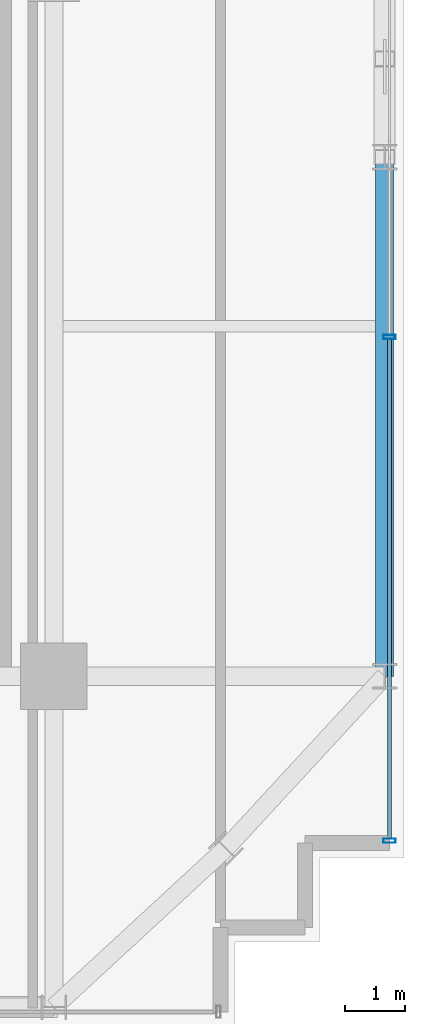
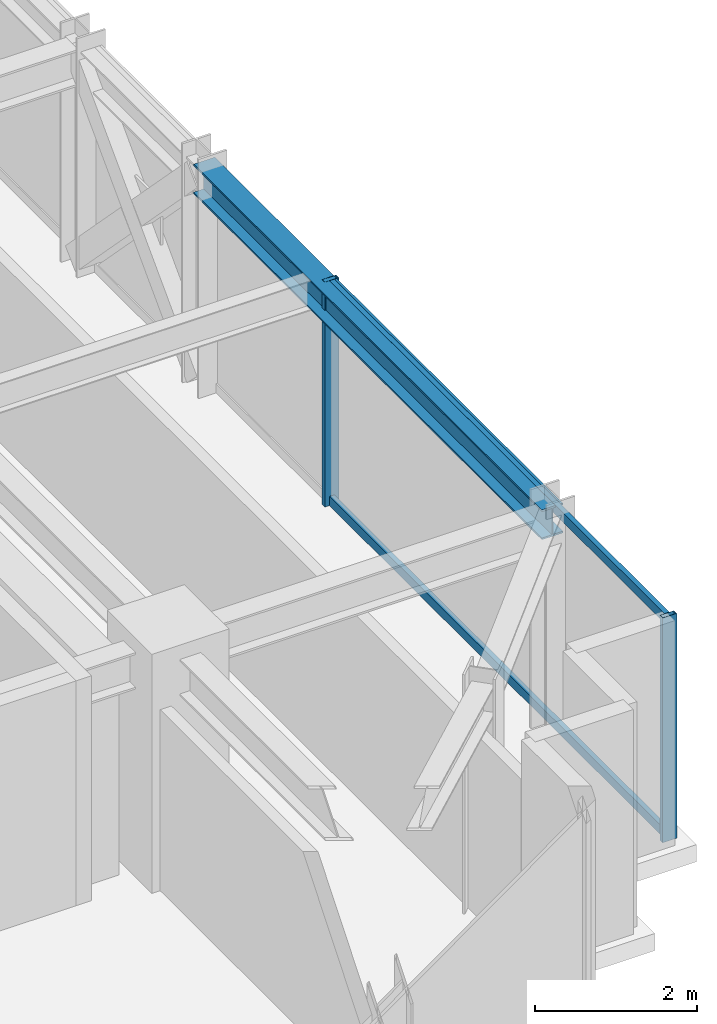
# One storey, part 14 of 35: 4 members, 1 beam, 1 element without a shape of its own.
"""IFC4 building model written with IfcOpenShell, lengths in metres."""

import ifcopenshell
import ifcopenshell.guid

model = None  # the IFC model being written
_history = None  # IfcOwnerHistory: only IFC2X3 demands one
_inside = {}  # id of a spatial element -> (the spatial element, [elements in it])
_under = {}  # id of a project, library or spatial element -> (it, [spatial elements below it])
_declared = {}  # id of a project -> (the project, [libraries it declares])
_typed = {}  # id of a type object -> (the type object, [elements of that type])
_made_of = {}  # id of a material, layer set ... -> (it, [elements and type objects made of it])


def new_model(schema):
    """Start an empty IFC model of exactly this schema.

    Asked for "IFC4X3", IfcOpenShell would pick the latest addendum, in which some entities
    have other attributes; the version numbers below select the first issue.
    IFC2X3 requires an IfcOwnerHistory on every rooted entity: one is made here for all.
    """
    global model, _history
    if schema == "IFC4X3":
        model = ifcopenshell.file(schema_version=(4, 3, 0, 0))
    else:
        model = ifcopenshell.file(schema=schema)
    _inside.clear()
    _under.clear()
    _declared.clear()
    _typed.clear()
    _made_of.clear()
    _history = None
    if model.schema == "IFC2X3":
        org = make("IfcOrganization", Name="unknown")
        user = make(
            "IfcPersonAndOrganization",
            ThePerson=make("IfcPerson", FamilyName="unknown"),
            TheOrganization=org,
        )
        app = make(
            "IfcApplication",
            ApplicationDeveloper=org,
            Version="unknown",
            ApplicationFullName="unknown",
            ApplicationIdentifier="unknown",
        )
        _history = make(
            "IfcOwnerHistory",
            OwningUser=user,
            OwningApplication=app,
            ChangeAction="ADDED",
            CreationDate=0,
        )
    return model


def make(cls, **values):
    """One entity of the class cls with the attributes given. An attribute that is None is left unset."""
    return model.create_entity(
        cls, **{name: value for name, value in values.items() if value is not None}
    )


def rooted(cls, **values):
    """An entity with a GlobalId (a new one), such as an element, a storey or a relation."""
    return make(cls, GlobalId=ifcopenshell.guid.new(), OwnerHistory=_history, **values)


def si_unit(unit_type, name, prefix=None):
    """IfcSIUnit, for example si_unit("LENGTHUNIT", "METRE", prefix="MILLI")."""
    return make("IfcSIUnit", UnitType=unit_type, Prefix=prefix, Name=name)


def assignment(units):
    """IfcUnitAssignment: the units of a project."""
    return None if units is None else make("IfcUnitAssignment", Units=units)


def point(xyz):
    """IfcCartesianPoint."""
    return None if xyz is None else make("IfcCartesianPoint", Coordinates=xyz)


def direction(xyz):
    """IfcDirection."""
    return None if xyz is None else make("IfcDirection", DirectionRatios=xyz)


def frame(location, z_axis=None, x_axis=None):
    """IfcAxis2Placement3D, a coordinate frame: its origin and axes. An axis left out is left unset."""
    return make(
        "IfcAxis2Placement3D",
        Location=point(location),
        Axis=direction(z_axis),
        RefDirection=direction(x_axis),
    )


def frame_2d(location, x_axis=None):
    """IfcAxis2Placement2D, a coordinate frame in the plane: its origin and x axis."""
    return make(
        "IfcAxis2Placement2D", Location=point(location), RefDirection=direction(x_axis)
    )


def origin():
    """The frame at (0, 0, 0) with its axes left unset."""
    return frame((0.0, 0.0, 0.0))


def origin_2d():
    """The frame at (0, 0) in the plane with its x axis left unset."""
    return frame_2d((0.0, 0.0))


def place(relative_to, where):
    """IfcLocalPlacement: puts the frame where relative to a parent placement (None: the world)."""
    return make(
        "IfcLocalPlacement", PlacementRelTo=relative_to, RelativePlacement=where
    )


def context(
    kind, dimensions, precision=None, world=None, true_north=None, identifier=None
):
    """IfcGeometricRepresentationContext, for example the 3D "Model" context."""
    return make(
        "IfcGeometricRepresentationContext",
        ContextIdentifier=identifier,
        ContextType=kind,
        CoordinateSpaceDimension=dimensions,
        Precision=precision,
        WorldCoordinateSystem=world,
        TrueNorth=true_north,
    )


def subcontext(parent, identifier, kind, view, scale=None):
    """IfcGeometricRepresentationSubContext, for example "Body" below "Model"."""
    return make(
        "IfcGeometricRepresentationSubContext",
        ContextIdentifier=identifier,
        ContextType=kind,
        ParentContext=parent,
        TargetScale=scale,
        TargetView=view,
    )


def project(units=None, contexts=None):
    """IfcProject with its units and contexts."""
    return rooted(
        "IfcProject",
        Name="project",
        RepresentationContexts=contexts,
        UnitsInContext=assignment(units),
    )


def spatial(cls, under=None, at=None, **own):
    """A site, building, storey or space (cls), placed at a placement, below another one or the project."""
    s = rooted(cls, ObjectPlacement=at, **own)
    if under is not None:
        _under.setdefault(under.id(), (under, []))[1].append(s)
    return s


def profile(cls, at=None, kind="AREA", **sizes):
    """A parametric profile (cls). Its sizes go by their IFC names, for example OverallWidth=200.0."""
    return make(cls, ProfileType=kind, Position=at, **sizes)


def hollow_rectangle(**sizes):
    """IfcRectangleHollowProfileDef."""
    return profile("IfcRectangleHollowProfileDef", **sizes)


def i_section(**sizes):
    """IfcIShapeProfileDef."""
    return profile("IfcIShapeProfileDef", **sizes)


def extrude(swept, where, along, depth):
    """IfcExtrudedAreaSolid: the profile swept, set in the frame where, extruded along a direction by depth."""
    return make(
        "IfcExtrudedAreaSolid",
        SweptArea=swept,
        Position=where,
        ExtrudedDirection=direction(along),
        Depth=depth,
    )


def shape(context_of_items, identifier, shape_type, items):
    """IfcShapeRepresentation: the items that make up one representation, for example the "Body"."""
    return make(
        "IfcShapeRepresentation",
        ContextOfItems=context_of_items,
        RepresentationIdentifier=identifier,
        RepresentationType=shape_type,
        Items=items,
    )


def source(mapping_origin, context_of_items, identifier, shape_type, items):
    """IfcRepresentationMap: a shape defined once, which mapped items show again and again."""
    return make(
        "IfcRepresentationMap",
        MappingOrigin=mapping_origin,
        MappedRepresentation=shape(context_of_items, identifier, shape_type, items),
    )


def transform(
    local_origin,
    x_axis=None,
    y_axis=None,
    z_axis=None,
    scale=None,
    scale2=None,
    scale3=None,
    uniform=True,
):
    """IfcCartesianTransformationOperator3D, or its non-uniform kind. x_axis, y_axis, z_axis: its Axis1, 2, 3."""
    if uniform:
        return make(
            "IfcCartesianTransformationOperator3D",
            Axis1=direction(x_axis),
            Axis2=direction(y_axis),
            LocalOrigin=point(local_origin),
            Scale=scale,
            Axis3=direction(z_axis),
        )
    return make(
        "IfcCartesianTransformationOperator3DnonUniform",
        Axis1=direction(x_axis),
        Axis2=direction(y_axis),
        LocalOrigin=point(local_origin),
        Scale=scale,
        Axis3=direction(z_axis),
        Scale2=scale2,
        Scale3=scale3,
    )


def mapped(mapping_source, mapping_target):
    """IfcMappedItem: shows the shape of a source again, moved by a transform."""
    return make(
        "IfcMappedItem", MappingSource=mapping_source, MappingTarget=mapping_target
    )


def material(Name=None, Category=None):
    """IfcMaterial."""
    return make("IfcMaterial", Name=Name, Category=Category)


def material_profile(
    of_material, cross_section, Name=None, Category=None, Priority=None
):
    """IfcMaterialProfile: a cross section and its material."""
    return make(
        "IfcMaterialProfile",
        Name=Name,
        Material=of_material,
        Profile=cross_section,
        Priority=Priority,
        Category=Category,
    )


def profile_set(profiles, Name=None, composite=None):
    """IfcMaterialProfileSet."""
    return make(
        "IfcMaterialProfileSet",
        Name=Name,
        MaterialProfiles=profiles,
        CompositeProfile=composite,
    )


def made_of(thing, what):
    """Note that an element or type object is made of a material, layer set ...; save() writes the relation."""
    if what is not None:
        _made_of.setdefault(what.id(), (what, []))[1].append(thing)
    return thing


def type_object(cls, material=None, **own):
    """A type object (cls), such as IfcWallType, which elements share."""
    return made_of(rooted(cls, **own), material)


def element(
    cls,
    number,
    at=None,
    inside=None,
    cuts=None,
    type_object=None,
    material=None,
    context=None,
    identifier="Body",
    shape_type=None,
    held_by="IfcProductDefinitionShape",
    body=None,
    shapes=None,
    **own,
):
    """One element of the class cls, such as IfcWall. Its Tag is "e" and its number.

    at: its placement. inside: the storey or other place that contains it. cuts: it is an
    opening in that element (IfcRelVoidsElement). A single representation is given by context,
    identifier, shape_type and body (its items); several are given by shapes. held_by: the class
    of the entity that holds the representations. save() writes the other relations.
    """
    e = rooted(cls, Tag="e%d" % number, ObjectPlacement=at, **own)
    if body is not None:
        shapes = [shape(context, identifier, shape_type, body)]
    if shapes is not None:
        e.Representation = make(held_by, Representations=shapes)
    if inside is not None:
        _inside.setdefault(inside.id(), (inside, []))[1].append(e)
    if cuts is not None:
        rooted(
            "IfcRelVoidsElement", RelatingBuildingElement=cuts, RelatedOpeningElement=e
        )
    if type_object is not None:
        _typed.setdefault(type_object.id(), (type_object, []))[1].append(e)
    return made_of(e, material)


def aggregate(whole, parts):
    """IfcRelAggregates: a whole, such as a stair, and the parts it consists of."""
    return rooted("IfcRelAggregates", RelatingObject=whole, RelatedObjects=parts)


def save(model, path):
    """Write the relations noted so far, then the file.

    IfcRelAggregates (storeys below a building ...), IfcRelContainedInSpatialStructure (elements
    in a storey), IfcRelDefinesByType, IfcRelAssociatesMaterial and IfcRelDeclares: one each for
    every whole, place, type object, material and project.
    """
    for whole, parts in _under.values():
        aggregate(whole, parts)
    for where, things in _inside.values():
        rooted(
            "IfcRelContainedInSpatialStructure",
            RelatedElements=things,
            RelatingStructure=where,
        )
    for kind, things in _typed.values():
        rooted("IfcRelDefinesByType", RelatedObjects=things, RelatingType=kind)
    for what, things in _made_of.values():
        rooted("IfcRelAssociatesMaterial", RelatedObjects=things, RelatingMaterial=what)
    for by, libraries in _declared.values():
        rooted("IfcRelDeclares", RelatingContext=by, RelatedDefinitions=libraries)
    model.write(path)


model = new_model("IFC4")

# Units and contexts
model_context = context("Model", 3, precision=1e-05, world=origin(), true_north=direction((0.0, 1.0)))
body_context = subcontext(model_context, "Body", "Model", "MODEL_VIEW")
ifc_project = project(units=[si_unit("LENGTHUNIT", "METRE"), si_unit("AREAUNIT", "SQUARE_METRE"), si_unit("VOLUMEUNIT", "CUBIC_METRE"), si_unit("PLANEANGLEUNIT", "RADIAN"), si_unit("MASSUNIT", "GRAM", prefix="KILO")], contexts=[model_context])

# Site, building, storey
site_placement = place(None, origin())
site = spatial("IfcSite", under=ifc_project, at=site_placement, CompositionType="ELEMENT")
building_placement = place(site_placement, origin())
building = spatial("IfcBuilding", under=site, at=building_placement, Name="Nahalor Promenade Grand Hotel", CompositionType="ELEMENT")
storey_placement = place(building_placement, frame((0.0, 0.0, 185.5)))
storey = spatial("IfcBuildingStorey", under=building, at=storey_placement, Name="L47", CompositionType="ELEMENT", Elevation=185.5)

# Beam
ifc_material_1 = material(Name="Steel S355JR", Category="steel")
ifc_material_profile_1 = material_profile(ifc_material_1, i_section(OverallWidth=0.3, OverallDepth=0.45, WebThickness=0.014, FlangeThickness=0.026, at=origin_2d()), Name="HEB 450")
ifc_profile_set_1 = profile_set([ifc_material_profile_1], Name="Steel S355JR")
beam_type = type_object("IfcBeamType", Name="Beam-Spandrel-HEB450", PredefinedType="SPANDREL", material=ifc_profile_set_1)
shared_shape_1 = source(origin(), body_context, "Body", "SweptSolid", [
    extrude(i_section(OverallWidth=0.3, OverallDepth=0.45, WebThickness=0.014, FlangeThickness=0.026, at=origin_2d()), origin(), (0.0, 0.0, 1.0), 8.60009765625),
])
beam_placement = place(storey_placement, frame((22.47998046875, -17.0, 3.1650390625), z_axis=(0.0, 1.0, 0.0), x_axis=(-1.0, 0.0, 0.0)))
element("IfcBeam", 1, at=beam_placement, inside=storey, type_object=beam_type, Name="BM-L47-SP-E-0", PredefinedType="SPANDREL", context=body_context, shape_type="MappedRepresentation", body=[
    mapped(shared_shape_1, transform((0.0, 0.0, 0.0), scale=1.0)),
])

# Curtain wall, members
ifc_material_2 = material(Name="Anodised Bronze Aluminium EN AW-6063 T6", Category="aluminium")
curtain_wall_type = type_object("IfcCurtainWallType", Name="CW3 Elliptical-Void Collar Unitised Curtain Wall", PredefinedType="USERDEFINED", material=ifc_material_2)
curtain_wall_placement = place(storey_placement, origin())
curtain_wall = element("IfcCurtainWall", 2, at=curtain_wall_placement, inside=storey, type_object=curtain_wall_type, Name="L47 Curtain Wall CW-L47-E-1", ObjectType="UNITISED_CURTAIN_WALL", PredefinedType="USERDEFINED")
ifc_material_profile_2 = material_profile(ifc_material_2, hollow_rectangle(XDim=0.07, YDim=0.14, WallThickness=0.004, at=origin_2d()), Name="CWT 70x140x4")
ifc_profile_set_2 = profile_set([ifc_material_profile_2], Name="Anodised Bronze Aluminium EN AW-6063 T6")
member_type_1 = type_object("IfcMemberType", Name="CWT3 Void Collar Transom 70x140", PredefinedType="USERDEFINED", material=ifc_profile_set_2)
shared_shape_2 = source(origin(), body_context, "Body", "SweptSolid", [
    extrude(hollow_rectangle(XDim=0.07, YDim=0.14, WallThickness=0.004, at=origin_2d()), origin(), (0.0, 0.0, 1.0), 8.275390625),
])
member_1_placement = place(storey_placement, frame((22.56005859375, -19.68994140625, 0.070068359375), z_axis=(0.0, 1.0, 0.0), x_axis=(-1.0, 0.0, 0.0)))
member_1 = element("IfcMember", 3, at=member_1_placement, type_object=member_type_1, Name="CW-L47-E-1 Transom 0-0", ObjectType="TRANSOM", PredefinedType="USERDEFINED", context=body_context, shape_type="MappedRepresentation", body=[
    mapped(shared_shape_2, transform((0.0, 0.0, 0.0), scale=1.0)),
])
member_2_placement = place(storey_placement, frame((22.56005859375, -19.68994140625, 3.320068359375), z_axis=(0.0, 1.0, 0.0), x_axis=(-1.0, 0.0, 0.0)))
member_2 = element("IfcMember", 4, at=member_2_placement, type_object=member_type_1, Name="CW-L47-E-1 Transom 0-1", ObjectType="TRANSOM", PredefinedType="USERDEFINED", context=body_context, shape_type="MappedRepresentation", body=[
    mapped(shared_shape_2, transform((0.0, 0.0, 0.0), scale=1.0)),
])
ifc_material_profile_3 = material_profile(ifc_material_2, hollow_rectangle(XDim=0.07, YDim=0.2, WallThickness=0.005, at=origin_2d()), Name="CWM 70x200x5")
ifc_profile_set_3 = profile_set([ifc_material_profile_3], Name="Anodised Bronze Aluminium EN AW-6063 T6")
member_type_2 = type_object("IfcMemberType", Name="CWM3 Void Collar Mullion 70x200", PredefinedType="MULLION", material=ifc_profile_set_3)
shared_shape_3 = source(origin(), body_context, "Body", "SweptSolid", [
    extrude(hollow_rectangle(XDim=0.07, YDim=0.2, WallThickness=0.005, at=origin_2d()), origin(), (0.0, 0.0, 1.0), 3.389892578125),
])
member_3_placement = place(storey_placement, frame((22.56005859375, -19.72509765625, 0.0), z_axis=(0.0, 0.0, 1.0), x_axis=(0.0, 1.0, 0.0)))
member_3 = element("IfcMember", 5, at=member_3_placement, type_object=member_type_2, Name="CW-L47-E-1 Mullion 0", PredefinedType="MULLION", context=body_context, shape_type="MappedRepresentation", body=[
    mapped(shared_shape_3, transform((0.0, 0.0, 0.0), scale=1.0)),
])
member_4_placement = place(storey_placement, frame((22.56005859375, -11.37939453125, 0.0), z_axis=(0.0, 0.0, 1.0), x_axis=(0.0, 1.0, 0.0)))
member_4 = element("IfcMember", 6, at=member_4_placement, type_object=member_type_2, Name="CW-L47-E-1 Mullion 1", PredefinedType="MULLION", context=body_context, shape_type="MappedRepresentation", body=[
    mapped(shared_shape_3, transform((0.0, 0.0, 0.0), scale=1.0)),
])
aggregate(curtain_wall, [member_3, member_4, member_1, member_2])

save(model, "model.ifc")
